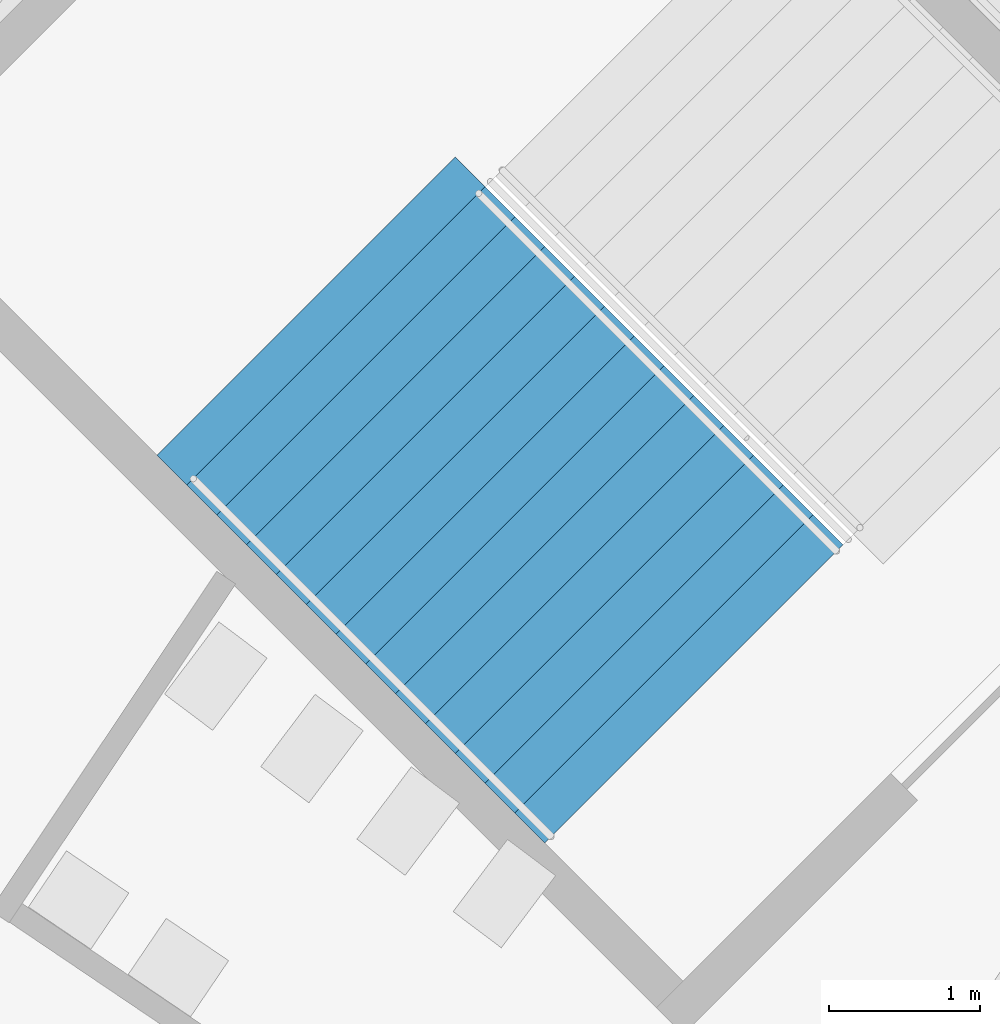
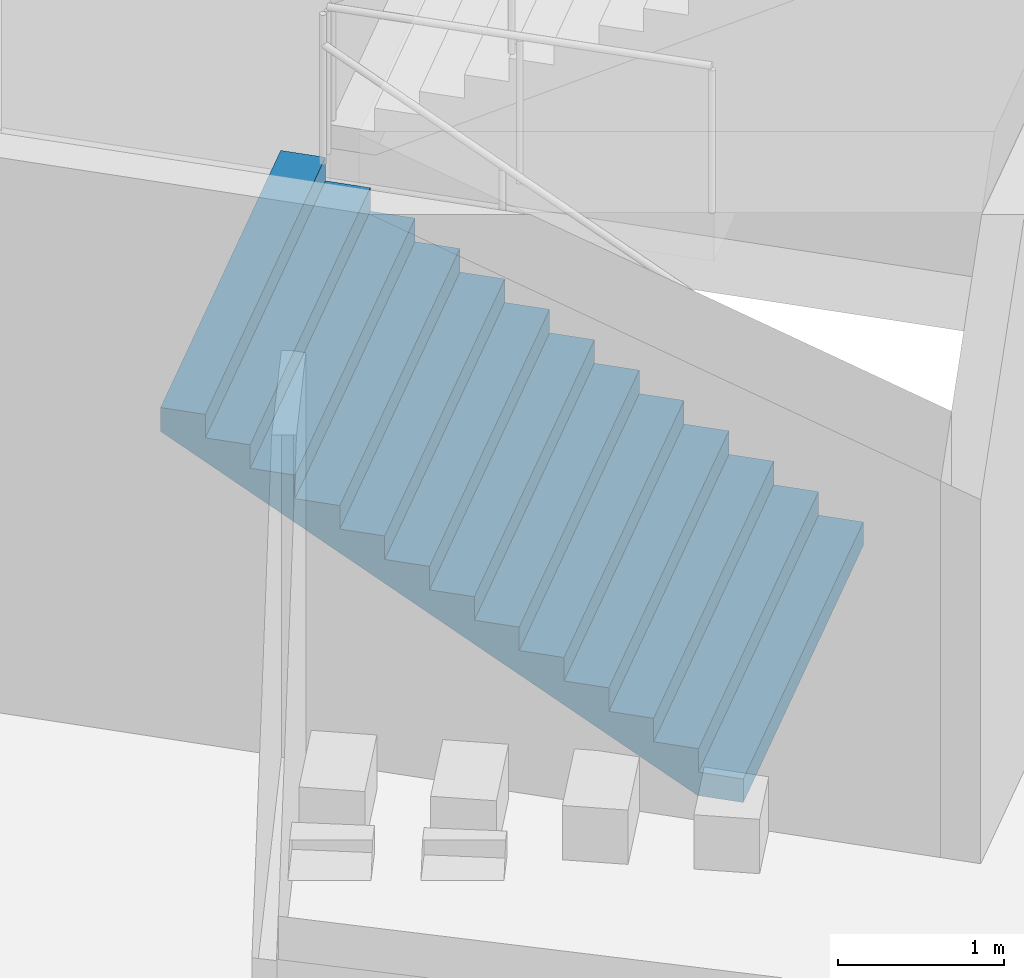
# One storey, part 136 of 177: 1 stair flight, 1 element without a shape of its own.
"""IFC4 building model written with IfcOpenShell, lengths in metres."""

from ifc_helpers import new_model, si_unit, direction, frame, origin, place, context, subcontext, project, spatial, faceted_brep, material, type_object, element, aggregate, save


model = new_model("IFC4")

# Units and contexts
model_context = context("Model", 3, precision=1e-05, world=origin(), true_north=direction((0.0, 1.0)))
body_context = subcontext(model_context, "Body", "Model", "MODEL_VIEW")
ifc_project = project(units=[si_unit("LENGTHUNIT", "METRE"), si_unit("AREAUNIT", "SQUARE_METRE"), si_unit("VOLUMEUNIT", "CUBIC_METRE"), si_unit("PLANEANGLEUNIT", "RADIAN"), si_unit("MASSUNIT", "GRAM", prefix="KILO")], contexts=[model_context])

# Site, building, storey
site_placement = place(None, origin())
site = spatial("IfcSite", under=ifc_project, at=site_placement, CompositionType="ELEMENT")
building_placement = place(site_placement, origin())
building = spatial("IfcBuilding", under=site, at=building_placement, Name="Ogive Plaza Stadium", CompositionType="ELEMENT")
storey_placement = place(building_placement, frame((0.0, 0.0, 18.0)))
storey = spatial("IfcBuildingStorey", under=building, at=storey_placement, Name="L04", CompositionType="ELEMENT", Elevation=18.0)

# Stair, stair flight
ifc_material_1 = material(Name="Concrete C40/50", Category="concrete")
stair_type = type_object("IfcStairType", Name="Exit stair", PredefinedType="STRAIGHT_RUN_STAIR", material=ifc_material_1)
stair_placement = place(storey_placement, origin())
stair = element("IfcStair", 1, at=stair_placement, inside=storey, type_object=stair_type, Name="Exit stair ST30B L04 to L05", PredefinedType="STRAIGHT_RUN_STAIR")
ifc_material_2 = material(Name="Concrete C40/50", Category="concrete")
stair_flight_type = type_object("IfcStairFlightType", Name="Exit stair flight", PredefinedType="STRAIGHT", material=ifc_material_2)
stair_flight_placement = place(storey_placement, frame((-67.074951171875, 79.317138671875, 0.0), z_axis=(0.0, 0.0, 1.0), x_axis=(-0.707106781187, 0.707106781187, 0.0)))
stair_flight = element("IfcStairFlight", 2, at=stair_flight_placement, type_object=stair_flight_type, Name="ST30B flight 1", NumberOfRisers=13, NumberOfTreads=12, PredefinedType="STRAIGHT", RiserHeight=0.173076923, TreadLength=0.28, context=body_context, shape_type="Brep", body=[
    faceted_brep([(0.28515625, -1.39990234375, 0.0), (3.639892578125, -1.39990234375, 2.07373046875), (3.639892578125, -1.39990234375, 2.25), (3.360107421875, -1.39990234375, 2.25), (3.360107421875, -1.39990234375, 2.076904296875), (3.080078125, -1.39990234375, 2.076904296875), (3.080078125, -1.39990234375, 1.90380859375), (2.800048828125, -1.39990234375, 1.90380859375), (2.800048828125, -1.39990234375, 1.730712890625), (2.52001953125, -1.39990234375, 1.730712890625), (2.52001953125, -1.39990234375, 1.5576171875), (2.239990234375, -1.39990234375, 1.5576171875), (2.239990234375, -1.39990234375, 1.384521484375), (1.9599609375, -1.39990234375, 1.384521484375), (1.9599609375, -1.39990234375, 1.21142578125), (1.679931640625, -1.39990234375, 1.21142578125), (1.679931640625, -1.39990234375, 1.03857421875), (1.39990234375, -1.39990234375, 1.03857421875), (1.39990234375, -1.39990234375, 0.865478515625), (1.1201171875, -1.39990234375, 0.865478515625), (1.1201171875, -1.39990234375, 0.6923828125), (0.840087890625, -1.39990234375, 0.6923828125), (0.840087890625, -1.39990234375, 0.519287109375), (0.56005859375, -1.39990234375, 0.519287109375), (0.56005859375, -1.39990234375, 0.34619140625), (0.280029296875, -1.39990234375, 0.34619140625), (0.280029296875, -1.39990234375, 0.173095703125), (0.0, -1.39990234375, 0.173095703125), (0.0, -1.39990234375, 0.0), (0.0, 1.39990234375, 0.0), (0.0, 1.39990234375, 0.173095703125), (0.280029296875, 1.39990234375, 0.173095703125), (0.280029296875, 1.39990234375, 0.34619140625), (0.56005859375, 1.39990234375, 0.34619140625), (0.56005859375, 1.39990234375, 0.519287109375), (0.840087890625, 1.39990234375, 0.519287109375), (0.840087890625, 1.39990234375, 0.6923828125), (1.1201171875, 1.39990234375, 0.6923828125), (1.1201171875, 1.39990234375, 0.865478515625), (1.39990234375, 1.39990234375, 0.865478515625), (1.39990234375, 1.39990234375, 1.03857421875), (1.679931640625, 1.39990234375, 1.03857421875), (1.679931640625, 1.39990234375, 1.21142578125), (1.9599609375, 1.39990234375, 1.21142578125), (1.9599609375, 1.39990234375, 1.384521484375), (2.239990234375, 1.39990234375, 1.384521484375), (2.239990234375, 1.39990234375, 1.5576171875), (2.52001953125, 1.39990234375, 1.5576171875), (2.52001953125, 1.39990234375, 1.730712890625), (2.800048828125, 1.39990234375, 1.730712890625), (2.800048828125, 1.39990234375, 1.90380859375), (3.080078125, 1.39990234375, 1.90380859375), (3.080078125, 1.39990234375, 2.076904296875), (3.360107421875, 1.39990234375, 2.076904296875), (3.360107421875, 1.39990234375, 2.25), (3.639892578125, 1.39990234375, 2.25), (3.639892578125, 1.39990234375, 2.07373046875), (0.28515625, 1.39990234375, 0.0), (0.28515625, -1.0888671875, 0.0), (3.639892578125, -1.0888671875, 2.07373046875), (0.28515625, -0.77783203125, 0.0), (3.639892578125, -0.77783203125, 2.07373046875), (0.28515625, -0.466796875, 0.0), (3.639892578125, -0.466796875, 2.07373046875), (0.28515625, -0.155517578125, 0.0), (3.639892578125, -0.155517578125, 2.07373046875), (0.28515625, 0.155517578125, 0.0), (3.639892578125, 0.155517578125, 2.07373046875), (0.28515625, 0.466796875, 0.0), (3.639892578125, 0.466796875, 2.07373046875), (0.28515625, 0.77783203125, 0.0), (3.639892578125, 0.77783203125, 2.07373046875), (0.28515625, 1.0888671875, 0.0), (3.639892578125, 1.0888671875, 2.07373046875), (3.639892578125, -1.0888671875, 2.25), (3.639892578125, -0.77783203125, 2.25), (3.639892578125, -0.466796875, 2.25), (3.639892578125, -0.155517578125, 2.25), (3.639892578125, 0.155517578125, 2.25), (3.639892578125, 0.466796875, 2.25), (3.639892578125, 0.77783203125, 2.25), (3.639892578125, 1.0888671875, 2.25), (3.360107421875, -1.0888671875, 2.25), (3.360107421875, -0.77783203125, 2.25), (3.360107421875, -0.466796875, 2.25), (3.360107421875, -0.155517578125, 2.25), (3.360107421875, 0.155517578125, 2.25), (3.360107421875, 0.466796875, 2.25), (3.360107421875, 0.77783203125, 2.25), (3.360107421875, 1.0888671875, 2.25), (3.360107421875, -1.0888671875, 2.076904296875), (3.360107421875, -0.77783203125, 2.076904296875), (3.360107421875, -0.466796875, 2.076904296875), (3.360107421875, -0.155517578125, 2.076904296875), (3.360107421875, 0.155517578125, 2.076904296875), (3.360107421875, 0.466796875, 2.076904296875), (3.360107421875, 0.77783203125, 2.076904296875), (3.360107421875, 1.0888671875, 2.076904296875), (3.080078125, -1.0888671875, 2.076904296875), (3.080078125, -0.77783203125, 2.076904296875), (3.080078125, -0.466796875, 2.076904296875), (3.080078125, -0.155517578125, 2.076904296875), (3.080078125, 0.155517578125, 2.076904296875), (3.080078125, 0.466796875, 2.076904296875), (3.080078125, 0.77783203125, 2.076904296875), (3.080078125, 1.0888671875, 2.076904296875), (3.080078125, -1.0888671875, 1.90380859375), (3.080078125, -0.77783203125, 1.90380859375), (3.080078125, -0.466796875, 1.90380859375), (3.080078125, -0.155517578125, 1.90380859375), (3.080078125, 0.155517578125, 1.90380859375), (3.080078125, 0.466796875, 1.90380859375), (3.080078125, 0.77783203125, 1.90380859375), (3.080078125, 1.0888671875, 1.90380859375), (2.800048828125, -1.0888671875, 1.90380859375), (2.800048828125, -0.77783203125, 1.90380859375), (2.800048828125, -0.466796875, 1.90380859375), (2.800048828125, -0.155517578125, 1.90380859375), (2.800048828125, 0.155517578125, 1.90380859375), (2.800048828125, 0.466796875, 1.90380859375), (2.800048828125, 0.77783203125, 1.90380859375), (2.800048828125, 1.0888671875, 1.90380859375), (2.800048828125, -1.0888671875, 1.730712890625), (2.800048828125, -0.77783203125, 1.730712890625), (2.800048828125, -0.466796875, 1.730712890625), (2.800048828125, -0.155517578125, 1.730712890625), (2.800048828125, 0.155517578125, 1.730712890625), (2.800048828125, 0.466796875, 1.730712890625), (2.800048828125, 0.77783203125, 1.730712890625), (2.800048828125, 1.0888671875, 1.730712890625), (2.52001953125, -1.0888671875, 1.730712890625), (2.52001953125, -0.77783203125, 1.730712890625), (2.52001953125, -0.466796875, 1.730712890625), (2.52001953125, -0.155517578125, 1.730712890625), (2.52001953125, 0.155517578125, 1.730712890625), (2.52001953125, 0.466796875, 1.730712890625), (2.52001953125, 0.77783203125, 1.730712890625), (2.52001953125, 1.0888671875, 1.730712890625), (2.52001953125, -1.0888671875, 1.5576171875), (2.52001953125, -0.77783203125, 1.5576171875), (2.52001953125, -0.466796875, 1.5576171875), (2.52001953125, -0.155517578125, 1.5576171875), (2.52001953125, 0.155517578125, 1.5576171875), (2.52001953125, 0.466796875, 1.5576171875), (2.52001953125, 0.77783203125, 1.5576171875), (2.52001953125, 1.0888671875, 1.5576171875), (2.239990234375, -1.0888671875, 1.5576171875), (2.239990234375, -0.77783203125, 1.5576171875), (2.239990234375, -0.466796875, 1.5576171875), (2.239990234375, -0.155517578125, 1.5576171875), (2.239990234375, 0.155517578125, 1.5576171875), (2.239990234375, 0.466796875, 1.5576171875), (2.239990234375, 0.77783203125, 1.5576171875), (2.239990234375, 1.0888671875, 1.5576171875), (2.239990234375, -1.0888671875, 1.384521484375), (2.239990234375, -0.77783203125, 1.384521484375), (2.239990234375, -0.466796875, 1.384521484375), (2.239990234375, -0.155517578125, 1.384521484375), (2.239990234375, 0.155517578125, 1.384521484375), (2.239990234375, 0.466796875, 1.384521484375), (2.239990234375, 0.77783203125, 1.384521484375), (2.239990234375, 1.0888671875, 1.384521484375), (1.9599609375, -1.0888671875, 1.384521484375), (1.9599609375, -0.77783203125, 1.384521484375), (1.9599609375, -0.466796875, 1.384521484375), (1.9599609375, -0.155517578125, 1.384521484375), (1.9599609375, 0.155517578125, 1.384521484375), (1.9599609375, 0.466796875, 1.384521484375), (1.9599609375, 0.77783203125, 1.384521484375), (1.9599609375, 1.0888671875, 1.384521484375), (1.9599609375, -1.0888671875, 1.21142578125), (1.9599609375, -0.77783203125, 1.21142578125), (1.9599609375, -0.466796875, 1.21142578125), (1.9599609375, -0.155517578125, 1.21142578125), (1.9599609375, 0.155517578125, 1.21142578125), (1.9599609375, 0.466796875, 1.21142578125), (1.9599609375, 0.77783203125, 1.21142578125), (1.9599609375, 1.0888671875, 1.21142578125), (1.679931640625, -1.0888671875, 1.21142578125), (1.679931640625, -0.77783203125, 1.21142578125), (1.679931640625, -0.466796875, 1.21142578125), (1.679931640625, -0.155517578125, 1.21142578125), (1.679931640625, 0.155517578125, 1.21142578125), (1.679931640625, 0.466796875, 1.21142578125), (1.679931640625, 0.77783203125, 1.21142578125), (1.679931640625, 1.0888671875, 1.21142578125), (1.679931640625, -1.0888671875, 1.03857421875), (1.679931640625, -0.77783203125, 1.03857421875), (1.679931640625, -0.466796875, 1.03857421875), (1.679931640625, -0.155517578125, 1.03857421875), (1.679931640625, 0.155517578125, 1.03857421875), (1.679931640625, 0.466796875, 1.03857421875), (1.679931640625, 0.77783203125, 1.03857421875), (1.679931640625, 1.0888671875, 1.03857421875), (1.39990234375, -1.0888671875, 1.03857421875), (1.39990234375, -0.77783203125, 1.03857421875), (1.39990234375, -0.466796875, 1.03857421875), (1.39990234375, -0.155517578125, 1.03857421875), (1.39990234375, 0.155517578125, 1.03857421875), (1.39990234375, 0.466796875, 1.03857421875), (1.39990234375, 0.77783203125, 1.03857421875), (1.39990234375, 1.0888671875, 1.03857421875), (1.39990234375, -1.0888671875, 0.865478515625), (1.39990234375, -0.77783203125, 0.865478515625), (1.39990234375, -0.466796875, 0.865478515625), (1.39990234375, -0.155517578125, 0.865478515625), (1.39990234375, 0.155517578125, 0.865478515625), (1.39990234375, 0.466796875, 0.865478515625), (1.39990234375, 0.77783203125, 0.865478515625), (1.39990234375, 1.0888671875, 0.865478515625), (1.1201171875, -1.0888671875, 0.865478515625), (1.1201171875, -0.77783203125, 0.865478515625), (1.1201171875, -0.466796875, 0.865478515625), (1.1201171875, -0.155517578125, 0.865478515625), (1.1201171875, 0.155517578125, 0.865478515625), (1.1201171875, 0.466796875, 0.865478515625), (1.1201171875, 0.77783203125, 0.865478515625), (1.1201171875, 1.0888671875, 0.865478515625), (1.1201171875, -1.0888671875, 0.6923828125), (1.1201171875, -0.77783203125, 0.6923828125), (1.1201171875, -0.466796875, 0.6923828125), (1.1201171875, -0.155517578125, 0.6923828125), (1.1201171875, 0.155517578125, 0.6923828125), (1.1201171875, 0.466796875, 0.6923828125), (1.1201171875, 0.77783203125, 0.6923828125), (1.1201171875, 1.0888671875, 0.6923828125), (0.840087890625, -1.0888671875, 0.6923828125), (0.840087890625, -0.77783203125, 0.6923828125), (0.840087890625, -0.466796875, 0.6923828125), (0.840087890625, -0.155517578125, 0.6923828125), (0.840087890625, 0.155517578125, 0.6923828125), (0.840087890625, 0.466796875, 0.6923828125), (0.840087890625, 0.77783203125, 0.6923828125), (0.840087890625, 1.0888671875, 0.6923828125), (0.840087890625, -1.0888671875, 0.519287109375), (0.840087890625, -0.77783203125, 0.519287109375), (0.840087890625, -0.466796875, 0.519287109375), (0.840087890625, -0.155517578125, 0.519287109375), (0.840087890625, 0.155517578125, 0.519287109375), (0.840087890625, 0.466796875, 0.519287109375), (0.840087890625, 0.77783203125, 0.519287109375), (0.840087890625, 1.0888671875, 0.519287109375), (0.56005859375, -1.0888671875, 0.519287109375), (0.56005859375, -0.77783203125, 0.519287109375), (0.56005859375, -0.466796875, 0.519287109375), (0.56005859375, -0.155517578125, 0.519287109375), (0.56005859375, 0.155517578125, 0.519287109375), (0.56005859375, 0.466796875, 0.519287109375), (0.56005859375, 0.77783203125, 0.519287109375), (0.56005859375, 1.0888671875, 0.519287109375), (0.56005859375, -1.0888671875, 0.34619140625), (0.56005859375, -0.77783203125, 0.34619140625), (0.56005859375, -0.466796875, 0.34619140625), (0.56005859375, -0.155517578125, 0.34619140625), (0.56005859375, 0.155517578125, 0.34619140625), (0.56005859375, 0.466796875, 0.34619140625), (0.56005859375, 0.77783203125, 0.34619140625), (0.56005859375, 1.0888671875, 0.34619140625), (0.280029296875, -1.0888671875, 0.34619140625), (0.280029296875, -0.77783203125, 0.34619140625), (0.280029296875, -0.466796875, 0.34619140625), (0.280029296875, -0.155517578125, 0.34619140625), (0.280029296875, 0.155517578125, 0.34619140625), (0.280029296875, 0.466796875, 0.34619140625), (0.280029296875, 0.77783203125, 0.34619140625), (0.280029296875, 1.0888671875, 0.34619140625), (0.280029296875, -1.0888671875, 0.173095703125), (0.280029296875, -0.77783203125, 0.173095703125), (0.280029296875, -0.466796875, 0.173095703125), (0.280029296875, -0.155517578125, 0.173095703125), (0.280029296875, 0.155517578125, 0.173095703125), (0.280029296875, 0.466796875, 0.173095703125), (0.280029296875, 0.77783203125, 0.173095703125), (0.280029296875, 1.0888671875, 0.173095703125), (0.0, -1.0888671875, 0.173095703125), (0.0, -0.77783203125, 0.173095703125), (0.0, -0.466796875, 0.173095703125), (0.0, -0.155517578125, 0.173095703125), (0.0, 0.155517578125, 0.173095703125), (0.0, 0.466796875, 0.173095703125), (0.0, 0.77783203125, 0.173095703125), (0.0, 1.0888671875, 0.173095703125), (0.0, -1.0888671875, 0.0), (0.0, -0.77783203125, 0.0), (0.0, -0.466796875, 0.0), (0.0, -0.155517578125, 0.0), (0.0, 0.155517578125, 0.0), (0.0, 0.466796875, 0.0), (0.0, 0.77783203125, 0.0), (0.0, 1.0888671875, 0.0)], [[[0, 1, 2, 3, 4, 5, 6, 7, 8, 9, 10, 11, 12, 13, 14, 15, 16, 17, 18, 19, 20, 21, 22, 23, 24, 25, 26, 27, 28]], [[29, 30, 31, 32, 33, 34, 35, 36, 37, 38, 39, 40, 41, 42, 43, 44, 45, 46, 47, 48, 49, 50, 51, 52, 53, 54, 55, 56, 57]], [[0, 58, 59, 1]], [[58, 60, 61, 59]], [[60, 62, 63, 61]], [[62, 64, 65, 63]], [[64, 66, 67, 65]], [[66, 68, 69, 67]], [[68, 70, 71, 69]], [[70, 72, 73, 71]], [[72, 57, 56, 73]], [[1, 59, 74, 2]], [[59, 61, 75, 74]], [[61, 63, 76, 75]], [[63, 65, 77, 76]], [[65, 67, 78, 77]], [[67, 69, 79, 78]], [[69, 71, 80, 79]], [[71, 73, 81, 80]], [[73, 56, 55, 81]], [[2, 74, 82, 3]], [[74, 75, 83, 82]], [[75, 76, 84, 83]], [[76, 77, 85, 84]], [[77, 78, 86, 85]], [[78, 79, 87, 86]], [[79, 80, 88, 87]], [[80, 81, 89, 88]], [[81, 55, 54, 89]], [[3, 82, 90, 4]], [[82, 83, 91, 90]], [[83, 84, 92, 91]], [[84, 85, 93, 92]], [[85, 86, 94, 93]], [[86, 87, 95, 94]], [[87, 88, 96, 95]], [[88, 89, 97, 96]], [[89, 54, 53, 97]], [[4, 90, 98, 5]], [[90, 91, 99, 98]], [[91, 92, 100, 99]], [[92, 93, 101, 100]], [[93, 94, 102, 101]], [[94, 95, 103, 102]], [[95, 96, 104, 103]], [[96, 97, 105, 104]], [[97, 53, 52, 105]], [[5, 98, 106, 6]], [[98, 99, 107, 106]], [[99, 100, 108, 107]], [[100, 101, 109, 108]], [[101, 102, 110, 109]], [[102, 103, 111, 110]], [[103, 104, 112, 111]], [[104, 105, 113, 112]], [[105, 52, 51, 113]], [[6, 106, 114, 7]], [[106, 107, 115, 114]], [[107, 108, 116, 115]], [[108, 109, 117, 116]], [[109, 110, 118, 117]], [[110, 111, 119, 118]], [[111, 112, 120, 119]], [[112, 113, 121, 120]], [[113, 51, 50, 121]], [[7, 114, 122, 8]], [[114, 115, 123, 122]], [[115, 116, 124, 123]], [[116, 117, 125, 124]], [[117, 118, 126, 125]], [[118, 119, 127, 126]], [[119, 120, 128, 127]], [[120, 121, 129, 128]], [[121, 50, 49, 129]], [[8, 122, 130, 9]], [[122, 123, 131, 130]], [[123, 124, 132, 131]], [[124, 125, 133, 132]], [[125, 126, 134, 133]], [[126, 127, 135, 134]], [[127, 128, 136, 135]], [[128, 129, 137, 136]], [[129, 49, 48, 137]], [[9, 130, 138, 10]], [[130, 131, 139, 138]], [[131, 132, 140, 139]], [[132, 133, 141, 140]], [[133, 134, 142, 141]], [[134, 135, 143, 142]], [[135, 136, 144, 143]], [[136, 137, 145, 144]], [[137, 48, 47, 145]], [[10, 138, 146, 11]], [[138, 139, 147, 146]], [[139, 140, 148, 147]], [[140, 141, 149, 148]], [[141, 142, 150, 149]], [[142, 143, 151, 150]], [[143, 144, 152, 151]], [[144, 145, 153, 152]], [[145, 47, 46, 153]], [[11, 146, 154, 12]], [[146, 147, 155, 154]], [[147, 148, 156, 155]], [[148, 149, 157, 156]], [[149, 150, 158, 157]], [[150, 151, 159, 158]], [[151, 152, 160, 159]], [[152, 153, 161, 160]], [[153, 46, 45, 161]], [[12, 154, 162, 13]], [[154, 155, 163, 162]], [[155, 156, 164, 163]], [[156, 157, 165, 164]], [[157, 158, 166, 165]], [[158, 159, 167, 166]], [[159, 160, 168, 167]], [[160, 161, 169, 168]], [[161, 45, 44, 169]], [[13, 162, 170, 14]], [[162, 163, 171, 170]], [[163, 164, 172, 171]], [[164, 165, 173, 172]], [[165, 166, 174, 173]], [[166, 167, 175, 174]], [[167, 168, 176, 175]], [[168, 169, 177, 176]], [[169, 44, 43, 177]], [[14, 170, 178, 15]], [[170, 171, 179, 178]], [[171, 172, 180, 179]], [[172, 173, 181, 180]], [[173, 174, 182, 181]], [[174, 175, 183, 182]], [[175, 176, 184, 183]], [[176, 177, 185, 184]], [[177, 43, 42, 185]], [[15, 178, 186, 16]], [[178, 179, 187, 186]], [[179, 180, 188, 187]], [[180, 181, 189, 188]], [[181, 182, 190, 189]], [[182, 183, 191, 190]], [[183, 184, 192, 191]], [[184, 185, 193, 192]], [[185, 42, 41, 193]], [[16, 186, 194, 17]], [[186, 187, 195, 194]], [[187, 188, 196, 195]], [[188, 189, 197, 196]], [[189, 190, 198, 197]], [[190, 191, 199, 198]], [[191, 192, 200, 199]], [[192, 193, 201, 200]], [[193, 41, 40, 201]], [[17, 194, 202, 18]], [[194, 195, 203, 202]], [[195, 196, 204, 203]], [[196, 197, 205, 204]], [[197, 198, 206, 205]], [[198, 199, 207, 206]], [[199, 200, 208, 207]], [[200, 201, 209, 208]], [[201, 40, 39, 209]], [[18, 202, 210, 19]], [[202, 203, 211, 210]], [[203, 204, 212, 211]], [[204, 205, 213, 212]], [[205, 206, 214, 213]], [[206, 207, 215, 214]], [[207, 208, 216, 215]], [[208, 209, 217, 216]], [[209, 39, 38, 217]], [[19, 210, 218, 20]], [[210, 211, 219, 218]], [[211, 212, 220, 219]], [[212, 213, 221, 220]], [[213, 214, 222, 221]], [[214, 215, 223, 222]], [[215, 216, 224, 223]], [[216, 217, 225, 224]], [[217, 38, 37, 225]], [[20, 218, 226, 21]], [[218, 219, 227, 226]], [[219, 220, 228, 227]], [[220, 221, 229, 228]], [[221, 222, 230, 229]], [[222, 223, 231, 230]], [[223, 224, 232, 231]], [[224, 225, 233, 232]], [[225, 37, 36, 233]], [[21, 226, 234, 22]], [[226, 227, 235, 234]], [[227, 228, 236, 235]], [[228, 229, 237, 236]], [[229, 230, 238, 237]], [[230, 231, 239, 238]], [[231, 232, 240, 239]], [[232, 233, 241, 240]], [[233, 36, 35, 241]], [[22, 234, 242, 23]], [[234, 235, 243, 242]], [[235, 236, 244, 243]], [[236, 237, 245, 244]], [[237, 238, 246, 245]], [[238, 239, 247, 246]], [[239, 240, 248, 247]], [[240, 241, 249, 248]], [[241, 35, 34, 249]], [[23, 242, 250, 24]], [[242, 243, 251, 250]], [[243, 244, 252, 251]], [[244, 245, 253, 252]], [[245, 246, 254, 253]], [[246, 247, 255, 254]], [[247, 248, 256, 255]], [[248, 249, 257, 256]], [[249, 34, 33, 257]], [[24, 250, 258, 25]], [[250, 251, 259, 258]], [[251, 252, 260, 259]], [[252, 253, 261, 260]], [[253, 254, 262, 261]], [[254, 255, 263, 262]], [[255, 256, 264, 263]], [[256, 257, 265, 264]], [[257, 33, 32, 265]], [[25, 258, 266, 26]], [[258, 259, 267, 266]], [[259, 260, 268, 267]], [[260, 261, 269, 268]], [[261, 262, 270, 269]], [[262, 263, 271, 270]], [[263, 264, 272, 271]], [[264, 265, 273, 272]], [[265, 32, 31, 273]], [[26, 266, 274, 27]], [[266, 267, 275, 274]], [[267, 268, 276, 275]], [[268, 269, 277, 276]], [[269, 270, 278, 277]], [[270, 271, 279, 278]], [[271, 272, 280, 279]], [[272, 273, 281, 280]], [[273, 31, 30, 281]], [[27, 274, 282, 28]], [[274, 275, 283, 282]], [[275, 276, 284, 283]], [[276, 277, 285, 284]], [[277, 278, 286, 285]], [[278, 279, 287, 286]], [[279, 280, 288, 287]], [[280, 281, 289, 288]], [[281, 30, 29, 289]], [[28, 282, 58, 0]], [[282, 283, 60, 58]], [[283, 284, 62, 60]], [[284, 285, 64, 62]], [[285, 286, 66, 64]], [[286, 287, 68, 66]], [[287, 288, 70, 68]], [[288, 289, 72, 70]], [[289, 29, 57, 72]]]),
])
aggregate(stair, [stair_flight])

save(model, "model.ifc")
